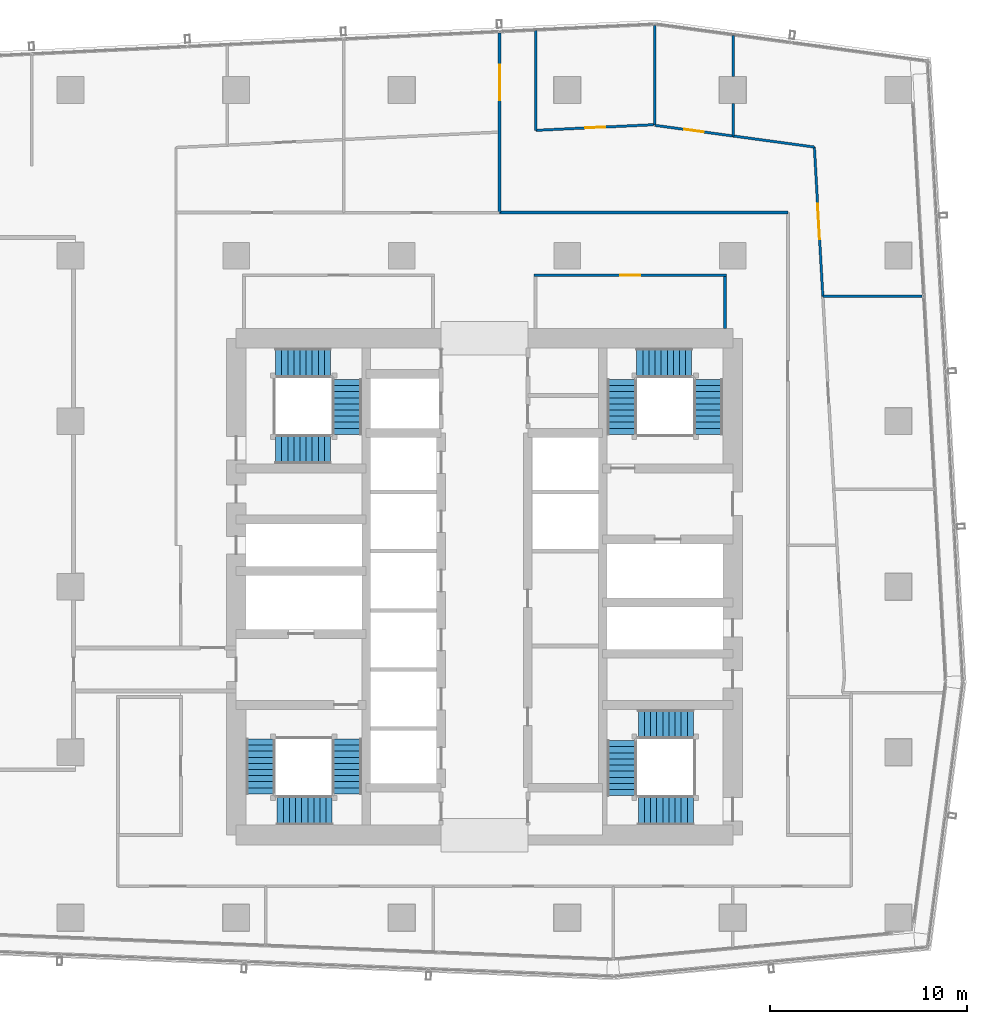
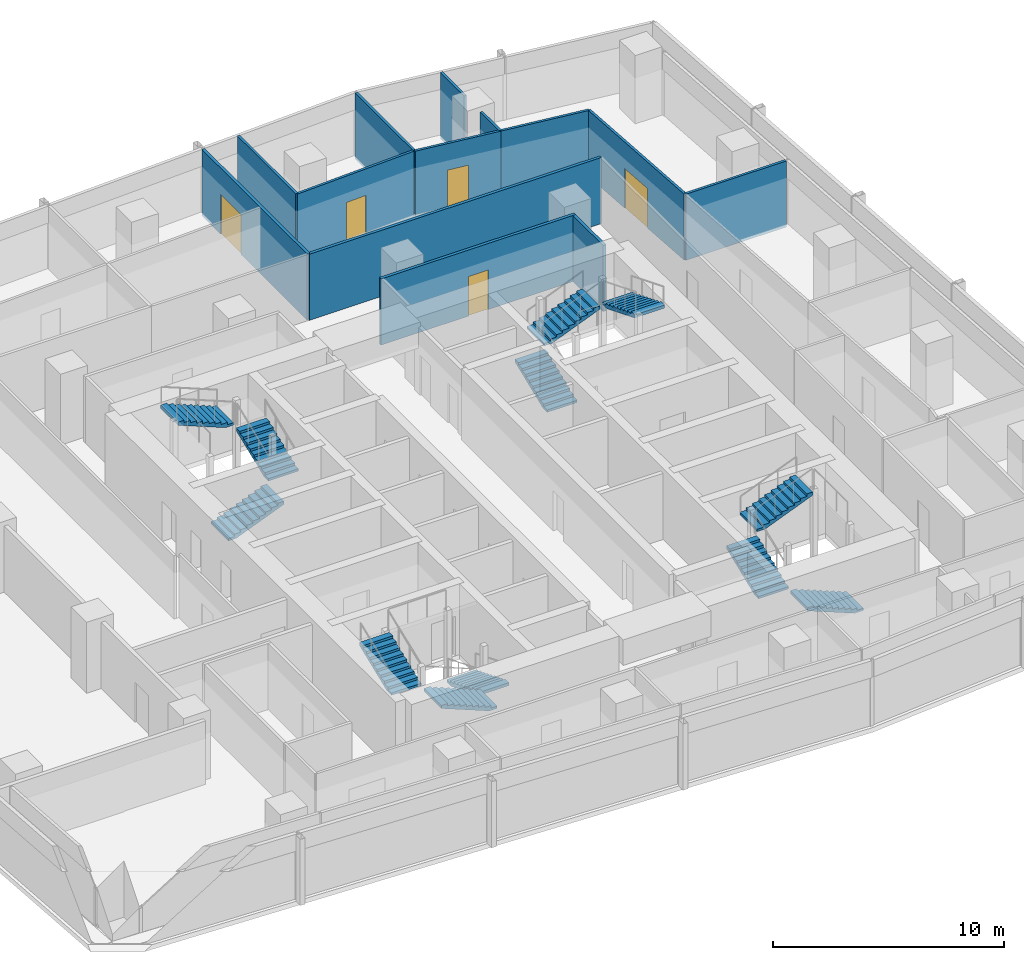
# One storey, part 27 of 35: 13 walls, 12 stair flights, 5 doors, 5 openings, 4 elements without a shape of their own.
"""IFC4 building model written with IfcOpenShell, lengths in metres."""

from ifc_helpers import new_model, si_unit, direction, frame, frame_2d, origin, place, context, subcontext, project, spatial, polyline, rectangle, outline, extrude, material, layer, layer_set, type_object, element, fill, aggregate, save


model = new_model("IFC4")

# Units and contexts
model_context = context("Model", 3, precision=1e-05, world=origin(), true_north=direction((0.0, 1.0)))
body_context = subcontext(model_context, "Body", "Model", "MODEL_VIEW")
ifc_project = project(units=[si_unit("LENGTHUNIT", "METRE"), si_unit("AREAUNIT", "SQUARE_METRE"), si_unit("VOLUMEUNIT", "CUBIC_METRE"), si_unit("PLANEANGLEUNIT", "RADIAN"), si_unit("MASSUNIT", "GRAM", prefix="KILO")], contexts=[model_context])

# Site, building, storey
site_placement = place(None, origin())
site = spatial("IfcSite", under=ifc_project, at=site_placement, CompositionType="ELEMENT")
building_placement = place(site_placement, origin())
building = spatial("IfcBuilding", under=site, at=building_placement, Name="Rekha Terrace Tower", CompositionType="ELEMENT")
storey_placement = place(building_placement, frame((0.0, 0.0, 191.449951171875)))
storey = spatial("IfcBuildingStorey", under=building, at=storey_placement, Name="L48", CompositionType="ELEMENT", Elevation=191.449951171875)

# Wall, opening, door
ifc_material_1 = material(Name="Concrete block masonry, 1 hour", Category="masonry")
ifc_layer_1 = layer(ifc_material_1, 0.14990234375)
ifc_layer_set_1 = layer_set([ifc_layer_1], Name="Concrete block masonry, 1 hour")
wall_type_1 = type_object("IfcWallType", Name="WP2 150 tenancy partition", PredefinedType="PARTITIONING", material=ifc_layer_set_1)
wall_1_placement = place(storey_placement, frame((40.324951171875, 49.39990234375, 0.0), z_axis=(0.0, 0.0, 1.0), x_axis=(1.0, 0.0, 0.0)))
wall_1 = element("IfcWall", 1, at=wall_1_placement, inside=storey, type_object=wall_type_1, Name="Women's WC wall L48", PredefinedType="PARTITIONING", context=body_context, shape_type="SweptSolid", body=[
    extrude(rectangle(XDim=9.75, YDim=0.14990234375, at=frame_2d((4.875, 0.0))), origin(), (0.0, 0.0, 1.0), 3.5),
])
opening_1_placement = place(wall_1_placement, frame((4.375, 0.0, 0.0)))
opening_1 = element("IfcOpeningElement", 2, at=opening_1_placement, cuts=wall_1, Name="Opening D3", PredefinedType="OPENING", context=body_context, shape_type="SweptSolid", body=[
    extrude(rectangle(XDim=1.0, YDim=2.10009765625, at=frame_2d((0.5, 1.050048828125))), frame((0.0, 0.0849609375, 0.0), z_axis=(0.0, -1.0, 0.0), x_axis=(1.0, 0.0, 0.0)), (0.0, 0.0, 1.0), 0.169921875),
])
ifc_material_2 = material(Name="Laminated timber fire door", Category="wood")
door_type_1 = type_object("IfcDoorType", Name="D3 1000x2100 WC door", OperationType="SINGLE_SWING_LEFT", PredefinedType="DOOR", material=ifc_material_2)
door_1_placement = place(opening_1_placement, origin())
door_1 = element("IfcDoor", 3, at=door_1_placement, inside=storey, type_object=door_type_1, Name="Door women's wc L48", OperationType="SINGLE_SWING_LEFT", OverallHeight=2.10009765625, OverallWidth=1.0, PredefinedType="DOOR", context=body_context, shape_type="SweptSolid", body=[
    extrude(rectangle(XDim=1.0, YDim=2.10009765625, at=frame_2d((0.5, 1.050048828125))), frame((0.0, 0.02490234375, 0.0), z_axis=(0.0, -1.0, 0.0), x_axis=(1.0, 0.0, 0.0)), (0.0, 0.0, 1.0), 0.050048828125),
])
fill(opening_1, door_1)

# Walls
wall_2_placement = place(storey_placement, frame((50.0, 46.699951171875, 0.0), z_axis=(0.0, 0.0, 1.0), x_axis=(0.0, 1.0, 0.0)))
element("IfcWall", 4, at=wall_2_placement, inside=storey, type_object=wall_type_1, Name="Women's WC wall L48", PredefinedType="PARTITIONING", context=body_context, shape_type="SweptSolid", body=[
    extrude(rectangle(XDim=2.625, YDim=0.14990234375, at=frame_2d((1.3125, 0.0))), origin(), (0.0, 0.0, 1.0), 3.5),
])
wall_3_placement = place(storey_placement, frame((53.199951171875, 52.574951171875, 0.0), z_axis=(0.0, 0.0, 1.0), x_axis=(-1.0, 0.0, 0.0)))
element("IfcWall", 5, at=wall_3_placement, inside=storey, type_object=wall_type_1, Name="Partition L48-O1", PredefinedType="PARTITIONING", context=body_context, shape_type="SweptSolid", body=[
    extrude(rectangle(XDim=14.6298828125, YDim=0.14990234375, at=frame_2d((7.31494140625, 0.0))), origin(), (0.0, 0.0, 1.0), 3.5),
])

# Wall, opening, door
wall_4_placement = place(storey_placement, frame((38.570068359375, 52.574951171875, 0.0), z_axis=(0.0, 0.0, 1.0), x_axis=(0.0, 1.0, 0.0)))
wall_4 = element("IfcWall", 6, at=wall_4_placement, inside=storey, type_object=wall_type_1, Name="Partition L48-O1", PredefinedType="PARTITIONING", context=body_context, shape_type="SweptSolid", body=[
    extrude(rectangle(XDim=9.115966796875, YDim=0.14990234375, at=frame_2d((4.55810546875, 0.0))), origin(), (0.0, 0.0, 1.0), 3.5),
])
opening_2_placement = place(wall_4_placement, frame((5.702880859375, 0.0, 0.0)))
opening_2 = element("IfcOpeningElement", 7, at=opening_2_placement, cuts=wall_4, Name="Opening D8", PredefinedType="OPENING", context=body_context, shape_type="SweptSolid", body=[
    extrude(rectangle(XDim=1.800048828125, YDim=2.10009765625, at=frame_2d((0.89990234375, 1.050048828125))), frame((0.0, 0.0849609375, 0.0), z_axis=(0.0, -1.0, 0.0), x_axis=(1.0, 0.0, 0.0)), (0.0, 0.0, 1.0), 0.169921875),
])
ifc_material_3 = material(Name="Timber fire door", Category="wood")
door_type_2 = type_object("IfcDoorType", Name="D8 1800x2100 double leaf door", OperationType="DOUBLE_DOOR_SINGLE_SWING", PredefinedType="DOOR", material=ifc_material_3)
door_2_placement = place(opening_2_placement, origin())
door_2 = element("IfcDoor", 8, at=door_2_placement, inside=storey, type_object=door_type_2, Name="Door meeting room L48", OperationType="DOUBLE_DOOR_SINGLE_SWING", OverallHeight=2.10009765625, OverallWidth=1.800048828125, PredefinedType="DOOR", context=body_context, shape_type="SweptSolid", body=[
    extrude(rectangle(XDim=1.800048828125, YDim=2.10009765625, at=frame_2d((0.89990234375, 1.050048828125))), frame((0.0, 0.02490234375, 0.0), z_axis=(0.0, -1.0, 0.0), x_axis=(1.0, 0.0, 0.0)), (0.0, 0.0, 1.0), 0.050048828125),
])
fill(opening_2, door_2)

# Walls
ifc_material_4 = material(Name="Two layers of fire-rated gypsum board each side on steel studs, acoustic quilt, 1 hour", Category="steel")
ifc_layer_2 = layer(ifc_material_4, 0.125)
ifc_layer_set_2 = layer_set([ifc_layer_2], Name="Two layers of fire-rated gypsum board each side on steel studs, acoustic quilt, 1 hour")
wall_type_2 = type_object("IfcWallType", Name="WP3 125 office partition", PredefinedType="PARTITIONING", material=ifc_layer_set_2)
wall_5_placement = place(storey_placement, frame((54.968017578125, 48.3310546875, 0.0), z_axis=(0.0, 0.0, 1.0), x_axis=(1.0, 0.0, 0.0)))
element("IfcWall", 9, at=wall_5_placement, inside=storey, type_object=wall_type_2, Name="Partition L48-06", PredefinedType="PARTITIONING", context=body_context, shape_type="SweptSolid", body=[
    extrude(rectangle(XDim=5.028076171875, YDim=0.125, at=frame_2d((2.51416015625, 0.0))), origin(), (0.0, 0.0, 1.0), 3.5),
])
wall_6_placement = place(storey_placement, frame((50.4169921875, 56.466064453125, 0.0), z_axis=(0.0, 0.0, 1.0), x_axis=(0.0, 1.0, 0.0)))
element("IfcWall", 10, at=wall_6_placement, inside=storey, type_object=wall_type_2, Name="Partition L48-07", PredefinedType="PARTITIONING", context=body_context, shape_type="SweptSolid", body=[
    extrude(rectangle(XDim=1.638916015625, YDim=0.125, at=frame_2d((0.8193359375, 0.0))), origin(), (0.0, 0.0, 1.0), 3.5),
])
wall_7_placement = place(storey_placement, frame((50.4169921875, 59.4951171875, 0.0), z_axis=(0.0, 0.0, 1.0), x_axis=(0.0, 1.0, 0.0)))
element("IfcWall", 11, at=wall_7_placement, inside=storey, type_object=wall_type_2, Name="Partition L48-07", PredefinedType="PARTITIONING", context=body_context, shape_type="SweptSolid", body=[
    extrude(rectangle(XDim=2.06787109375, YDim=0.125, at=frame_2d((1.033935546875, 0.0))), origin(), (0.0, 0.0, 1.0), 3.5),
])

# Wall, opening, door
wall_8_placement = place(storey_placement, frame((54.968017578125, 48.33203125, 0.0), z_axis=(0.0, 0.0, 1.0), x_axis=(-0.056680388523, 0.998392374549, 0.0)))
wall_8 = element("IfcWall", 12, at=wall_8_placement, inside=storey, type_object=wall_type_2, Name="Partition L48-07", PredefinedType="PARTITIONING", context=body_context, shape_type="SweptSolid", body=[
    extrude(rectangle(XDim=7.585205078125, YDim=0.125, at=frame_2d((3.79248046875, 0.0))), origin(), (0.0, 0.0, 1.0), 3.5),
])
opening_3_placement = place(wall_8_placement, frame((2.89306640625, 0.0, 0.0)))
opening_3 = element("IfcOpeningElement", 13, at=opening_3_placement, cuts=wall_8, Name="Opening D8", PredefinedType="OPENING", context=body_context, shape_type="SweptSolid", body=[
    extrude(rectangle(XDim=1.800048828125, YDim=2.10009765625, at=frame_2d((0.89990234375, 1.050048828125))), frame((0.0, 0.072509765625, 0.0), z_axis=(0.0, -1.0, 0.0), x_axis=(1.0, 0.0, 0.0)), (0.0, 0.0, 1.0), 0.14501953125),
])
door_3_placement = place(opening_3_placement, origin())
door_3 = element("IfcDoor", 14, at=door_3_placement, inside=storey, type_object=door_type_2, Name="Door meeting room L48", OperationType="DOUBLE_DOOR_SINGLE_SWING", OverallHeight=2.10009765625, OverallWidth=1.800048828125, PredefinedType="DOOR", context=body_context, shape_type="SweptSolid", body=[
    extrude(rectangle(XDim=1.800048828125, YDim=2.10009765625, at=frame_2d((0.89990234375, 1.050048828125))), frame((0.0, 0.02490234375, 0.0), z_axis=(0.0, -1.0, 0.0), x_axis=(1.0, 0.0, 0.0)), (0.0, 0.0, 1.0), 0.050048828125),
])
fill(opening_3, door_3)

# Wall
wall_9_placement = place(storey_placement, frame((54.5380859375, 55.905029296875, 0.0), z_axis=(0.0, 0.0, 1.0), x_axis=(-0.990860148606, 0.134893164781, 0.0)))
element("IfcWall", 15, at=wall_9_placement, inside=storey, type_object=wall_type_2, Name="Partition L48-07", PredefinedType="PARTITIONING", context=body_context, shape_type="SweptSolid", body=[
    extrude(rectangle(XDim=4.1591796875, YDim=0.125, at=frame_2d((2.07958984375, 0.0))), origin(), (0.0, 0.0, 1.0), 3.5),
])

# Wall, opening, door
wall_10_placement = place(storey_placement, frame((50.416015625, 56.466064453125, 0.0), z_axis=(0.0, 0.0, 1.0), x_axis=(-0.990841659037, 0.135028910671, 0.0)))
wall_10 = element("IfcWall", 16, at=wall_10_placement, inside=storey, type_object=wall_type_2, Name="Partition L48-08", PredefinedType="PARTITIONING", context=body_context, shape_type="SweptSolid", body=[
    extrude(rectangle(XDim=4.006591796875, YDim=0.125, at=frame_2d((2.00341796875, 0.0))), origin(), (0.0, 0.0, 1.0), 3.5),
])
opening_4_placement = place(wall_10_placement, frame((1.50390625, 0.0, 0.0)))
opening_4 = element("IfcOpeningElement", 17, at=opening_4_placement, cuts=wall_10, Name="Opening D9", PredefinedType="OPENING", context=body_context, shape_type="SweptSolid", body=[
    extrude(rectangle(XDim=1.0, YDim=2.10009765625, at=frame_2d((0.5, 1.050048828125))), frame((0.0, 0.072509765625, 0.0), z_axis=(0.0, -1.0, 0.0), x_axis=(1.0, 0.0, 0.0)), (0.0, 0.0, 1.0), 0.14501953125),
])
door_type_3 = type_object("IfcDoorType", Name="D9 1000x2100 office door", OperationType="SINGLE_SWING_LEFT", PredefinedType="DOOR", material=ifc_material_3)
door_4_placement = place(opening_4_placement, origin())
door_4 = element("IfcDoor", 18, at=door_4_placement, inside=storey, type_object=door_type_3, Name="Door office L48", OperationType="SINGLE_SWING_LEFT", OverallHeight=2.10009765625, OverallWidth=1.0, PredefinedType="DOOR", context=body_context, shape_type="SweptSolid", body=[
    extrude(rectangle(XDim=1.0, YDim=2.10009765625, at=frame_2d((0.5, 1.050048828125))), frame((0.0, 0.02490234375, 0.0), z_axis=(0.0, -1.0, 0.0), x_axis=(1.0, 0.0, 0.0)), (0.0, 0.0, 1.0), 0.050048828125),
])
fill(opening_4, door_4)

# Walls
wall_11_placement = place(storey_placement, frame((46.445068359375, 57.02001953125, 0.0), z_axis=(0.0, 0.0, 1.0), x_axis=(0.0, 1.0, 0.0)))
element("IfcWall", 19, at=wall_11_placement, inside=storey, type_object=wall_type_2, Name="Partition L48-08", PredefinedType="PARTITIONING", context=body_context, shape_type="SweptSolid", body=[
    extrude(rectangle(XDim=5.046875, YDim=0.125, at=frame_2d((2.5234375, 0.0))), origin(), (0.0, 0.0, 1.0), 3.5),
])
wall_12_placement = place(storey_placement, frame((40.402099609375, 56.7529296875, 0.0), z_axis=(0.0, 0.0, 1.0), x_axis=(0.0, 1.0, 0.0)))
element("IfcWall", 20, at=wall_12_placement, inside=storey, type_object=wall_type_2, Name="Partition L48-09", PredefinedType="PARTITIONING", context=body_context, shape_type="SweptSolid", body=[
    extrude(rectangle(XDim=5.05615234375, YDim=0.125, at=frame_2d((2.528076171875, 0.0))), origin(), (0.0, 0.0, 1.0), 3.5),
])

# Wall, opening, door
wall_13_placement = place(storey_placement, frame((46.383056640625, 57.0380859375, 0.0), z_axis=(0.0, 0.0, 1.0), x_axis=(-0.998865368612, -0.047623265187, 0.0)))
wall_13 = element("IfcWall", 21, at=wall_13_placement, inside=storey, type_object=wall_type_2, Name="Partition L48-09", PredefinedType="PARTITIONING", context=body_context, shape_type="SweptSolid", body=[
    extrude(rectangle(XDim=5.98779296875, YDim=0.125, at=frame_2d((2.993896484375, 0.0))), origin(), (0.0, 0.0, 1.0), 3.5),
])
opening_5_placement = place(wall_13_placement, frame((2.462890625, 0.0, 0.0)))
opening_5 = element("IfcOpeningElement", 22, at=opening_5_placement, cuts=wall_13, Name="Opening D9", PredefinedType="OPENING", context=body_context, shape_type="SweptSolid", body=[
    extrude(rectangle(XDim=1.0, YDim=2.10009765625, at=frame_2d((0.5, 1.050048828125))), frame((0.0, 0.072509765625, 0.0), z_axis=(0.0, -1.0, 0.0), x_axis=(1.0, 0.0, 0.0)), (0.0, 0.0, 1.0), 0.14501953125),
])
door_5_placement = place(opening_5_placement, origin())
door_5 = element("IfcDoor", 23, at=door_5_placement, inside=storey, type_object=door_type_3, Name="Door office L48", OperationType="SINGLE_SWING_LEFT", OverallHeight=2.10009765625, OverallWidth=1.0, PredefinedType="DOOR", context=body_context, shape_type="SweptSolid", body=[
    extrude(rectangle(XDim=1.0, YDim=2.10009765625, at=frame_2d((0.5, 1.050048828125))), frame((0.0, 0.02490234375, 0.0), z_axis=(0.0, -1.0, 0.0), x_axis=(1.0, 0.0, 0.0)), (0.0, 0.0, 1.0), 0.050048828125),
])
fill(opening_5, door_5)

# Stair, stair flights
ifc_material_5 = material(Name="Concrete M40", Category="concrete")
stair_type = type_object("IfcStairType", Name="ST30 stair, 30 risers of 125, going 310, 1500 wide flights, 3 flights", PredefinedType="HALF_TURN_STAIR", material=ifc_material_5)
stair_1_placement = place(storey_placement, origin())
stair_1 = element("IfcStair", 24, at=stair_1_placement, inside=storey, type_object=stair_type, Name="Stair ST1 L48 to L49", PredefinedType="HALF_TURN_STAIR")
stair_flight_type = type_object("IfcStairFlightType", Name="SF10 stair flight, 10 risers of 125, going 310, 1500 wide", PredefinedType="STRAIGHT", material=ifc_material_5)
stair_flight_1_placement = place(storey_placement, frame((30.824951171875, 25.875, 0.0), z_axis=(0.0, 0.0, 1.0), x_axis=(0.0, -1.0, 0.0)))
stair_flight_1 = element("IfcStairFlight", 25, at=stair_flight_1_placement, type_object=stair_flight_type, Name="ST1 flight 1", NumberOfRisers=10, NumberOfTreads=9, PredefinedType="STRAIGHT", RiserHeight=0.125, TreadLength=0.31, context=body_context, shape_type="SweptSolid", body=[
    extrude(outline(polyline([(0.0, 0.0), (0.0, 0.125), (0.31005859375, 0.125), (0.31005859375, 0.25), (0.6201171875, 0.25), (0.6201171875, 0.375), (0.929931640625, 0.375), (0.929931640625, 0.5), (1.239990234375, 0.5), (1.239990234375, 0.625), (1.550048828125, 0.625), (1.550048828125, 0.75), (1.860107421875, 0.75), (1.860107421875, 0.875), (2.169921875, 0.875), (2.169921875, 1.0), (2.47998046875, 1.0), (2.47998046875, 1.125), (2.7900390625, 1.125), (2.7900390625, 1.25), (2.7900390625, 0.96337890625), (0.40087890625, 0.0), (0.0, 0.0)])), frame((0.0, 0.75, 0.0), z_axis=(0.0, -1.0, 0.0), x_axis=(1.0, 0.0, 0.0)), (0.0, 0.0, 1.0), 1.5),
])
stair_flight_2_placement = place(storey_placement, frame((30.074951171875, 22.25, 1.25), z_axis=(0.0, 0.0, 1.0), x_axis=(-1.0, 0.0, 0.0)))
stair_flight_2 = element("IfcStairFlight", 26, at=stair_flight_2_placement, type_object=stair_flight_type, Name="ST1 flight 2", NumberOfRisers=10, NumberOfTreads=9, PredefinedType="STRAIGHT", RiserHeight=0.125, TreadLength=0.31, context=body_context, shape_type="SweptSolid", body=[
    extrude(outline(polyline([(0.0, 0.0), (0.0, 0.125), (0.31005859375, 0.125), (0.31005859375, 0.25), (0.6201171875, 0.25), (0.6201171875, 0.375), (0.929931640625, 0.375), (0.929931640625, 0.5), (1.239990234375, 0.5), (1.239990234375, 0.625), (1.550048828125, 0.625), (1.550048828125, 0.75), (1.860107421875, 0.75), (1.860107421875, 0.875), (2.169921875, 0.875), (2.169921875, 1.0), (2.47998046875, 1.0), (2.47998046875, 1.125), (2.7900390625, 1.125), (2.7900390625, 1.25), (2.7900390625, 0.96337890625), (0.40087890625, 0.0), (0.0, 0.0)])), frame((0.0, 0.75, 0.0), z_axis=(0.0, -1.0, 0.0), x_axis=(1.0, 0.0, 0.0)), (0.0, 0.0, 1.0), 1.5),
])
stair_flight_3_placement = place(storey_placement, frame((26.449951171875, 23.0849609375, 2.5), z_axis=(0.0, 0.0, 1.0), x_axis=(0.0, 1.0, 0.0)))
stair_flight_3 = element("IfcStairFlight", 27, at=stair_flight_3_placement, type_object=stair_flight_type, Name="ST1 flight 3", NumberOfRisers=10, NumberOfTreads=9, PredefinedType="STRAIGHT", RiserHeight=0.125, TreadLength=0.31, context=body_context, shape_type="SweptSolid", body=[
    extrude(outline(polyline([(0.0, 0.0), (0.0, 0.125), (0.31005859375, 0.125), (0.31005859375, 0.25), (0.6201171875, 0.25), (0.6201171875, 0.375), (0.929931640625, 0.375), (0.929931640625, 0.5), (1.239990234375, 0.5), (1.239990234375, 0.625), (1.550048828125, 0.625), (1.550048828125, 0.75), (1.860107421875, 0.75), (1.860107421875, 0.875), (2.169921875, 0.875), (2.169921875, 1.0), (2.47998046875, 1.0), (2.47998046875, 1.125), (2.7900390625, 1.125), (2.7900390625, 1.25), (2.7900390625, 0.96337890625), (0.40087890625, 0.0), (0.0, 0.0)])), frame((0.0, 0.75, 0.0), z_axis=(0.0, -1.0, 0.0), x_axis=(1.0, 0.0, 0.0)), (0.0, 0.0, 1.0), 1.5),
])
aggregate(stair_1, [stair_flight_1, stair_flight_2, stair_flight_3])

stair_2_placement = place(storey_placement, origin())
stair_2 = element("IfcStair", 28, at=stair_2_placement, inside=storey, type_object=stair_type, Name="Stair ST2 L48 to L49", PredefinedType="HALF_TURN_STAIR")
stair_flight_4_placement = place(storey_placement, frame((44.77490234375, 41.324951171875, 0.0), z_axis=(0.0, 0.0, 1.0), x_axis=(0.0, 1.0, 0.0)))
stair_flight_4 = element("IfcStairFlight", 29, at=stair_flight_4_placement, type_object=stair_flight_type, Name="ST2 flight 1", NumberOfRisers=10, NumberOfTreads=9, PredefinedType="STRAIGHT", RiserHeight=0.125, TreadLength=0.31, context=body_context, shape_type="SweptSolid", body=[
    extrude(outline(polyline([(0.0, 0.0), (0.0, 0.125), (0.31005859375, 0.125), (0.31005859375, 0.25), (0.6201171875, 0.25), (0.6201171875, 0.375), (0.929931640625, 0.375), (0.929931640625, 0.5), (1.239990234375, 0.5), (1.239990234375, 0.625), (1.550048828125, 0.625), (1.550048828125, 0.75), (1.860107421875, 0.75), (1.860107421875, 0.875), (2.169921875, 0.875), (2.169921875, 1.0), (2.47998046875, 1.0), (2.47998046875, 1.125), (2.7900390625, 1.125), (2.7900390625, 1.25), (2.7900390625, 0.96337890625), (0.40087890625, 0.0), (0.0, 0.0)])), frame((0.0, 0.75, 0.0), z_axis=(0.0, -1.0, 0.0), x_axis=(1.0, 0.0, 0.0)), (0.0, 0.0, 1.0), 1.5),
])
stair_flight_5_placement = place(storey_placement, frame((45.52490234375, 44.949951171875, 1.25), z_axis=(0.0, 0.0, 1.0), x_axis=(1.0, 0.0, 0.0)))
stair_flight_5 = element("IfcStairFlight", 30, at=stair_flight_5_placement, type_object=stair_flight_type, Name="ST2 flight 2", NumberOfRisers=10, NumberOfTreads=9, PredefinedType="STRAIGHT", RiserHeight=0.125, TreadLength=0.31, context=body_context, shape_type="SweptSolid", body=[
    extrude(outline(polyline([(0.0, 0.0), (0.0, 0.125), (0.31005859375, 0.125), (0.31005859375, 0.25), (0.6201171875, 0.25), (0.6201171875, 0.375), (0.929931640625, 0.375), (0.929931640625, 0.5), (1.239990234375, 0.5), (1.239990234375, 0.625), (1.550048828125, 0.625), (1.550048828125, 0.75), (1.860107421875, 0.75), (1.860107421875, 0.875), (2.169921875, 0.875), (2.169921875, 1.0), (2.47998046875, 1.0), (2.47998046875, 1.125), (2.7900390625, 1.125), (2.7900390625, 1.25), (2.7900390625, 0.96337890625), (0.40087890625, 0.0), (0.0, 0.0)])), frame((0.0, 0.75, 0.0), z_axis=(0.0, -1.0, 0.0), x_axis=(1.0, 0.0, 0.0)), (0.0, 0.0, 1.0), 1.5),
])
stair_flight_6_placement = place(storey_placement, frame((49.14990234375, 44.114990234375, 2.5), z_axis=(0.0, 0.0, 1.0), x_axis=(0.0, -1.0, 0.0)))
stair_flight_6 = element("IfcStairFlight", 31, at=stair_flight_6_placement, type_object=stair_flight_type, Name="ST2 flight 3", NumberOfRisers=10, NumberOfTreads=9, PredefinedType="STRAIGHT", RiserHeight=0.125, TreadLength=0.31, context=body_context, shape_type="SweptSolid", body=[
    extrude(outline(polyline([(0.0, 0.0), (0.0, 0.125), (0.31005859375, 0.125), (0.31005859375, 0.25), (0.6201171875, 0.25), (0.6201171875, 0.375), (0.929931640625, 0.375), (0.929931640625, 0.5), (1.239990234375, 0.5), (1.239990234375, 0.625), (1.550048828125, 0.625), (1.550048828125, 0.75), (1.860107421875, 0.75), (1.860107421875, 0.875), (2.169921875, 0.875), (2.169921875, 1.0), (2.47998046875, 1.0), (2.47998046875, 1.125), (2.7900390625, 1.125), (2.7900390625, 1.25), (2.7900390625, 0.96337890625), (0.40087890625, 0.0), (0.0, 0.0)])), frame((0.0, 0.75, 0.0), z_axis=(0.0, -1.0, 0.0), x_axis=(1.0, 0.0, 0.0)), (0.0, 0.0, 1.0), 1.5),
])
aggregate(stair_2, [stair_flight_4, stair_flight_5, stair_flight_6])

stair_3_placement = place(storey_placement, origin())
stair_3 = element("IfcStair", 32, at=stair_3_placement, inside=storey, type_object=stair_type, Name="Stair ST3 L48 to L49", PredefinedType="HALF_TURN_STAIR")
stair_flight_7_placement = place(storey_placement, frame((48.39990234375, 22.25, 0.0), z_axis=(0.0, 0.0, 1.0), x_axis=(-1.0, 0.0, 0.0)))
stair_flight_7 = element("IfcStairFlight", 33, at=stair_flight_7_placement, type_object=stair_flight_type, Name="ST3 flight 1", NumberOfRisers=10, NumberOfTreads=9, PredefinedType="STRAIGHT", RiserHeight=0.125, TreadLength=0.31, context=body_context, shape_type="SweptSolid", body=[
    extrude(outline(polyline([(0.0, 0.0), (0.0, 0.125), (0.31005859375, 0.125), (0.31005859375, 0.25), (0.6201171875, 0.25), (0.6201171875, 0.375), (0.929931640625, 0.375), (0.929931640625, 0.5), (1.239990234375, 0.5), (1.239990234375, 0.625), (1.550048828125, 0.625), (1.550048828125, 0.75), (1.860107421875, 0.75), (1.860107421875, 0.875), (2.169921875, 0.875), (2.169921875, 1.0), (2.47998046875, 1.0), (2.47998046875, 1.125), (2.7900390625, 1.125), (2.7900390625, 1.25), (2.7900390625, 0.96337890625), (0.40087890625, 0.0), (0.0, 0.0)])), frame((0.0, 0.75, 0.0), z_axis=(0.0, -1.0, 0.0), x_axis=(1.0, 0.0, 0.0)), (0.0, 0.0, 1.0), 1.5),
])
stair_flight_8_placement = place(storey_placement, frame((44.77490234375, 23.0, 1.25), z_axis=(0.0, 0.0, 1.0), x_axis=(0.0, 1.0, 0.0)))
stair_flight_8 = element("IfcStairFlight", 34, at=stair_flight_8_placement, type_object=stair_flight_type, Name="ST3 flight 2", NumberOfRisers=10, NumberOfTreads=9, PredefinedType="STRAIGHT", RiserHeight=0.125, TreadLength=0.31, context=body_context, shape_type="SweptSolid", body=[
    extrude(outline(polyline([(0.0, 0.0), (0.0, 0.125), (0.31005859375, 0.125), (0.31005859375, 0.25), (0.6201171875, 0.25), (0.6201171875, 0.375), (0.929931640625, 0.375), (0.929931640625, 0.5), (1.239990234375, 0.5), (1.239990234375, 0.625), (1.550048828125, 0.625), (1.550048828125, 0.75), (1.860107421875, 0.75), (1.860107421875, 0.875), (2.169921875, 0.875), (2.169921875, 1.0), (2.47998046875, 1.0), (2.47998046875, 1.125), (2.7900390625, 1.125), (2.7900390625, 1.25), (2.7900390625, 0.96337890625), (0.40087890625, 0.0), (0.0, 0.0)])), frame((0.0, 0.75, 0.0), z_axis=(0.0, -1.0, 0.0), x_axis=(1.0, 0.0, 0.0)), (0.0, 0.0, 1.0), 1.5),
])
stair_flight_9_placement = place(storey_placement, frame((45.610107421875, 26.625, 2.5), z_axis=(0.0, 0.0, 1.0), x_axis=(1.0, 0.0, 0.0)))
stair_flight_9 = element("IfcStairFlight", 35, at=stair_flight_9_placement, type_object=stair_flight_type, Name="ST3 flight 3", NumberOfRisers=10, NumberOfTreads=9, PredefinedType="STRAIGHT", RiserHeight=0.125, TreadLength=0.31, context=body_context, shape_type="SweptSolid", body=[
    extrude(outline(polyline([(0.0, 0.0), (0.0, 0.125), (0.31005859375, 0.125), (0.31005859375, 0.25), (0.6201171875, 0.25), (0.6201171875, 0.375), (0.929931640625, 0.375), (0.929931640625, 0.5), (1.239990234375, 0.5), (1.239990234375, 0.625), (1.550048828125, 0.625), (1.550048828125, 0.75), (1.860107421875, 0.75), (1.860107421875, 0.875), (2.169921875, 0.875), (2.169921875, 1.0), (2.47998046875, 1.0), (2.47998046875, 1.125), (2.7900390625, 1.125), (2.7900390625, 1.25), (2.7900390625, 0.96337890625), (0.40087890625, 0.0), (0.0, 0.0)])), frame((0.0, 0.75, 0.0), z_axis=(0.0, -1.0, 0.0), x_axis=(1.0, 0.0, 0.0)), (0.0, 0.0, 1.0), 1.5),
])
aggregate(stair_3, [stair_flight_7, stair_flight_8, stair_flight_9])

stair_4_placement = place(storey_placement, origin())
stair_4 = element("IfcStair", 36, at=stair_4_placement, inside=storey, type_object=stair_type, Name="Stair ST4 L48 to L49", PredefinedType="HALF_TURN_STAIR")
stair_flight_10_placement = place(storey_placement, frame((27.199951171875, 40.574951171875, 0.0), z_axis=(0.0, 0.0, 1.0), x_axis=(1.0, 0.0, 0.0)))
stair_flight_10 = element("IfcStairFlight", 37, at=stair_flight_10_placement, type_object=stair_flight_type, Name="ST4 flight 1", NumberOfRisers=10, NumberOfTreads=9, PredefinedType="STRAIGHT", RiserHeight=0.125, TreadLength=0.31, context=body_context, shape_type="SweptSolid", body=[
    extrude(outline(polyline([(0.0, 0.0), (0.0, 0.125), (0.31005859375, 0.125), (0.31005859375, 0.25), (0.6201171875, 0.25), (0.6201171875, 0.375), (0.929931640625, 0.375), (0.929931640625, 0.5), (1.239990234375, 0.5), (1.239990234375, 0.625), (1.550048828125, 0.625), (1.550048828125, 0.75), (1.860107421875, 0.75), (1.860107421875, 0.875), (2.169921875, 0.875), (2.169921875, 1.0), (2.47998046875, 1.0), (2.47998046875, 1.125), (2.7900390625, 1.125), (2.7900390625, 1.25), (2.7900390625, 0.96337890625), (0.40087890625, 0.0), (0.0, 0.0)])), frame((0.0, 0.75, 0.0), z_axis=(0.0, -1.0, 0.0), x_axis=(1.0, 0.0, 0.0)), (0.0, 0.0, 1.0), 1.5),
])
stair_flight_11_placement = place(storey_placement, frame((30.824951171875, 41.324951171875, 1.25), z_axis=(0.0, 0.0, 1.0), x_axis=(0.0, 1.0, 0.0)))
stair_flight_11 = element("IfcStairFlight", 38, at=stair_flight_11_placement, type_object=stair_flight_type, Name="ST4 flight 2", NumberOfRisers=10, NumberOfTreads=9, PredefinedType="STRAIGHT", RiserHeight=0.125, TreadLength=0.31, context=body_context, shape_type="SweptSolid", body=[
    extrude(outline(polyline([(0.0, 0.0), (0.0, 0.125), (0.31005859375, 0.125), (0.31005859375, 0.25), (0.6201171875, 0.25), (0.6201171875, 0.375), (0.929931640625, 0.375), (0.929931640625, 0.5), (1.239990234375, 0.5), (1.239990234375, 0.625), (1.550048828125, 0.625), (1.550048828125, 0.75), (1.860107421875, 0.75), (1.860107421875, 0.875), (2.169921875, 0.875), (2.169921875, 1.0), (2.47998046875, 1.0), (2.47998046875, 1.125), (2.7900390625, 1.125), (2.7900390625, 1.25), (2.7900390625, 0.96337890625), (0.40087890625, 0.0), (0.0, 0.0)])), frame((0.0, 0.75, 0.0), z_axis=(0.0, -1.0, 0.0), x_axis=(1.0, 0.0, 0.0)), (0.0, 0.0, 1.0), 1.5),
])
stair_flight_12_placement = place(storey_placement, frame((29.989990234375, 44.949951171875, 2.5), z_axis=(0.0, 0.0, 1.0), x_axis=(-1.0, 0.0, 0.0)))
stair_flight_12 = element("IfcStairFlight", 39, at=stair_flight_12_placement, type_object=stair_flight_type, Name="ST4 flight 3", NumberOfRisers=10, NumberOfTreads=9, PredefinedType="STRAIGHT", RiserHeight=0.125, TreadLength=0.31, context=body_context, shape_type="SweptSolid", body=[
    extrude(outline(polyline([(0.0, 0.0), (0.0, 0.125), (0.31005859375, 0.125), (0.31005859375, 0.25), (0.6201171875, 0.25), (0.6201171875, 0.375), (0.929931640625, 0.375), (0.929931640625, 0.5), (1.239990234375, 0.5), (1.239990234375, 0.625), (1.550048828125, 0.625), (1.550048828125, 0.75), (1.860107421875, 0.75), (1.860107421875, 0.875), (2.169921875, 0.875), (2.169921875, 1.0), (2.47998046875, 1.0), (2.47998046875, 1.125), (2.7900390625, 1.125), (2.7900390625, 1.25), (2.7900390625, 0.96337890625), (0.40087890625, 0.0), (0.0, 0.0)])), frame((0.0, 0.75, 0.0), z_axis=(0.0, -1.0, 0.0), x_axis=(1.0, 0.0, 0.0)), (0.0, 0.0, 1.0), 1.5),
])
aggregate(stair_4, [stair_flight_10, stair_flight_11, stair_flight_12])

save(model, "model.ifc")
